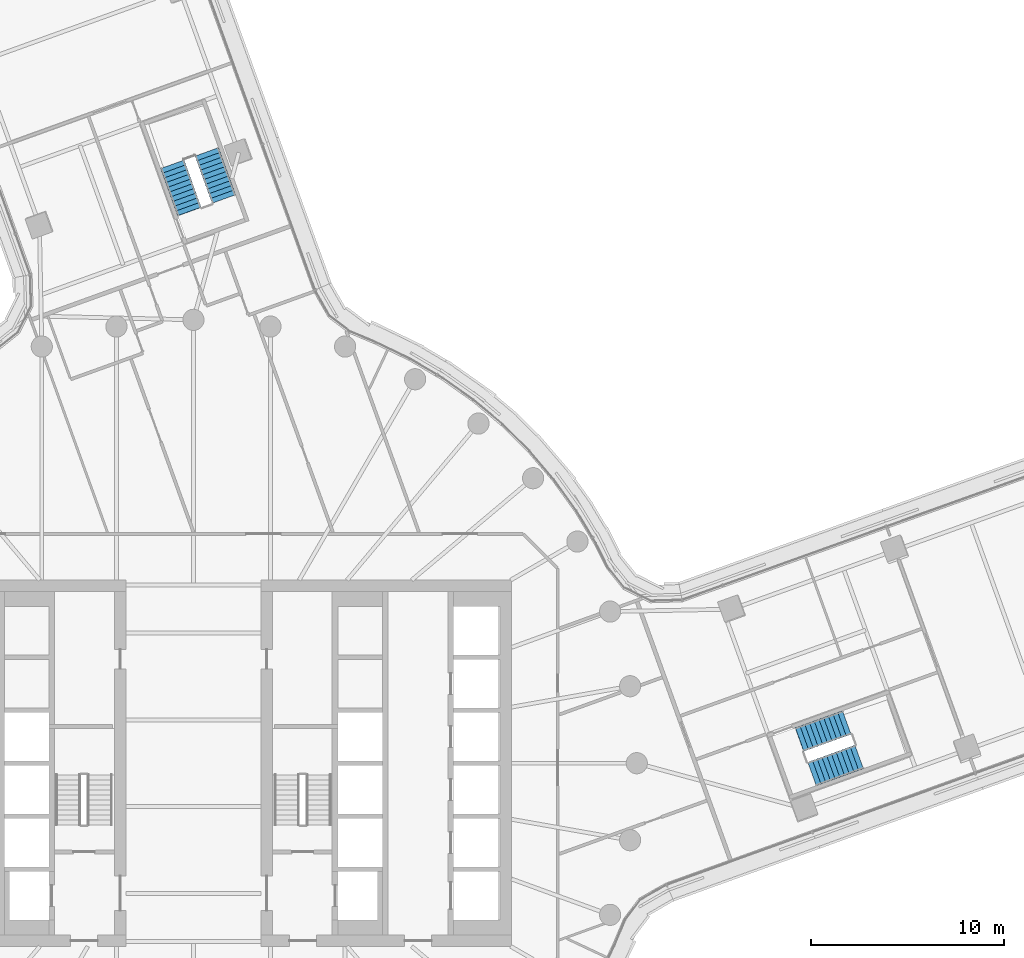
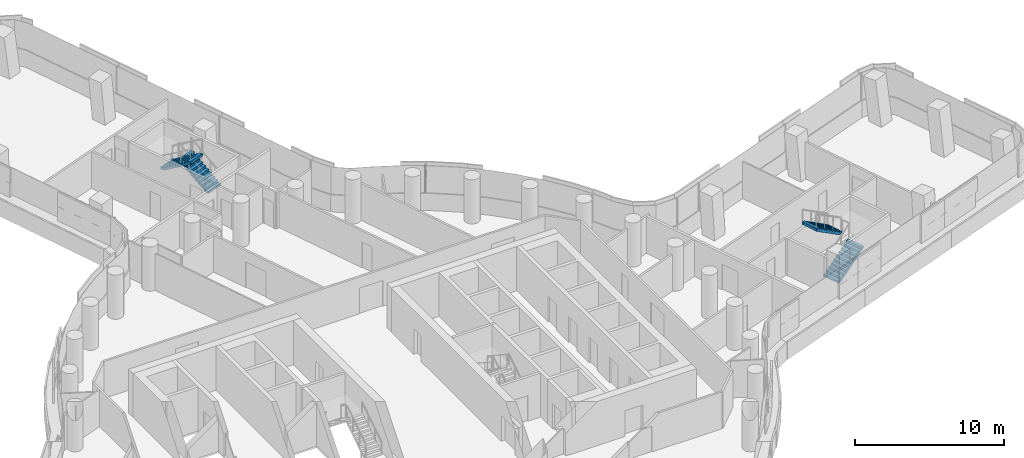
# One storey, part 23 of 30: 4 stair flights, 2 elements without a shape of their own.
"""IFC4 building model written with IfcOpenShell, lengths in metres."""

from ifc_helpers import new_model, si_unit, direction, frame, origin, place, context, subcontext, project, spatial, polyline, outline, extrude, material, type_object, element, aggregate, save


model = new_model("IFC4")

# Units and contexts
model_context = context("Model", 3, precision=1e-05, world=origin(), true_north=direction((0.0, 1.0)))
body_context = subcontext(model_context, "Body", "Model", "MODEL_VIEW")
ifc_project = project(units=[si_unit("LENGTHUNIT", "METRE"), si_unit("AREAUNIT", "SQUARE_METRE"), si_unit("VOLUMEUNIT", "CUBIC_METRE"), si_unit("PLANEANGLEUNIT", "RADIAN"), si_unit("MASSUNIT", "GRAM", prefix="KILO")], contexts=[model_context])

# Site, building, storey
site_placement = place(None, origin())
site = spatial("IfcSite", under=ifc_project, at=site_placement, CompositionType="ELEMENT")
building_placement = place(site_placement, origin())
building = spatial("IfcBuilding", under=site, at=building_placement, Name="Tamarind Cross Interchange Tower", CompositionType="ELEMENT")
storey_placement = place(building_placement, frame((0.0, 0.0, 106.0)))
storey = spatial("IfcBuildingStorey", under=building, at=storey_placement, Name="L25", CompositionType="ELEMENT", Elevation=106.0)

# Stair, stair flights
ifc_material_1 = material(Name="Exit stair")
stair_type = type_object("IfcStairType", Name="Exit stair", PredefinedType="HALF_TURN_STAIR", material=ifc_material_1)
stair_1_placement = place(storey_placement, origin())
stair_1 = element("IfcStair", 1, at=stair_1_placement, inside=storey, type_object=stair_type, Name="L25 exit stair ST3", PredefinedType="HALF_TURN_STAIR")
ifc_material_2 = material(Name="Exit stair flight")
stair_flight_type = type_object("IfcStairFlightType", Name="Exit stair flight", PredefinedType="STRAIGHT", material=ifc_material_2)
stair_flight_1_placement = place(storey_placement, frame((32.088623046875, -0.55712890625, 0.0), z_axis=(0.0, 0.0, 1.0), x_axis=(0.94057769422, 0.339578564011, 0.0)))
stair_flight_1 = element("IfcStairFlight", 2, at=stair_flight_1_placement, type_object=stair_flight_type, Name="ST3 flight 1", NumberOfRisers=11, NumberOfTreads=10, PredefinedType="STRAIGHT", RiserHeight=0.170454545, TreadLength=0.26, context=body_context, shape_type="SweptSolid", body=[
    extrude(outline(polyline([(0.0, 0.0), (0.0, 0.17041015625), (0.260009765625, 0.17041015625), (0.260009765625, 0.3408203125), (0.52001953125, 0.3408203125), (0.52001953125, 0.511474609375), (0.780029296875, 0.511474609375), (0.780029296875, 0.681884765625), (1.0400390625, 0.681884765625), (1.0400390625, 0.852294921875), (1.300048828125, 0.852294921875), (1.300048828125, 1.022705078125), (1.56005859375, 1.022705078125), (1.56005859375, 1.193115234375), (1.820068359375, 1.193115234375), (1.820068359375, 1.363525390625), (2.080078125, 1.363525390625), (2.080078125, 1.5341796875), (2.340087890625, 1.5341796875), (2.340087890625, 1.70458984375), (2.60009765625, 1.70458984375), (2.60009765625, 1.875), (2.60009765625, 1.525390625), (0.2734375, 0.0), (0.0, 0.0)])), frame((0.0, 0.64990234375, 0.0), z_axis=(0.0, -1.0, 0.0), x_axis=(1.0, 0.0, 0.0)), (0.0, 0.0, 1.0), 1.300048828125),
])
stair_flight_2_placement = place(storey_placement, frame((33.888916015625, 2.11279296875, 1.875), z_axis=(0.0, 0.0, 1.0), x_axis=(-0.94057769422, -0.339578564011, 0.0)))
stair_flight_2 = element("IfcStairFlight", 3, at=stair_flight_2_placement, type_object=stair_flight_type, Name="ST3 flight 2", NumberOfRisers=11, NumberOfTreads=10, PredefinedType="STRAIGHT", RiserHeight=0.170454545, TreadLength=0.26, context=body_context, shape_type="SweptSolid", body=[
    extrude(outline(polyline([(0.0, 0.0), (0.0, 0.17041015625), (0.260009765625, 0.17041015625), (0.260009765625, 0.3408203125), (0.52001953125, 0.3408203125), (0.52001953125, 0.511474609375), (0.780029296875, 0.511474609375), (0.780029296875, 0.681884765625), (1.0400390625, 0.681884765625), (1.0400390625, 0.852294921875), (1.300048828125, 0.852294921875), (1.300048828125, 1.022705078125), (1.56005859375, 1.022705078125), (1.56005859375, 1.193115234375), (1.820068359375, 1.193115234375), (1.820068359375, 1.363525390625), (2.080078125, 1.363525390625), (2.080078125, 1.5341796875), (2.340087890625, 1.5341796875), (2.340087890625, 1.70458984375), (2.60009765625, 1.70458984375), (2.60009765625, 1.7548828125), (2.612060546875, 1.7548828125), (2.612060546875, 1.533203125), (0.2734375, 0.0), (0.0, 0.0)])), frame((0.0, 0.64990234375, 0.0), z_axis=(0.0, -1.0, 0.0), x_axis=(1.0, 0.0, 0.0)), (0.0, 0.0, 1.0), 1.300048828125),
])
aggregate(stair_1, [stair_flight_1, stair_flight_2])

stair_2_placement = place(storey_placement, origin())
stair_2 = element("IfcStair", 4, at=stair_2_placement, inside=storey, type_object=stair_type, Name="L25 exit stair ST4", PredefinedType="HALF_TURN_STAIR")
stair_flight_3_placement = place(storey_placement, frame((1.575927734375, 29.26708984375, 0.0), z_axis=(0.0, 0.0, 1.0), x_axis=(-0.339578564011, 0.94057769422, 0.0)))
stair_flight_3 = element("IfcStairFlight", 5, at=stair_flight_3_placement, type_object=stair_flight_type, Name="ST4 flight 1", NumberOfRisers=11, NumberOfTreads=10, PredefinedType="STRAIGHT", RiserHeight=0.170454545, TreadLength=0.26, context=body_context, shape_type="SweptSolid", body=[
    extrude(outline(polyline([(0.0, 0.0), (0.0, 0.17041015625), (0.260009765625, 0.17041015625), (0.260009765625, 0.3408203125), (0.52001953125, 0.3408203125), (0.52001953125, 0.511474609375), (0.780029296875, 0.511474609375), (0.780029296875, 0.681884765625), (1.0400390625, 0.681884765625), (1.0400390625, 0.852294921875), (1.300048828125, 0.852294921875), (1.300048828125, 1.022705078125), (1.56005859375, 1.022705078125), (1.56005859375, 1.193115234375), (1.820068359375, 1.193115234375), (1.820068359375, 1.363525390625), (2.080078125, 1.363525390625), (2.080078125, 1.5341796875), (2.340087890625, 1.5341796875), (2.340087890625, 1.70458984375), (2.60009765625, 1.70458984375), (2.60009765625, 1.875), (2.60009765625, 1.525390625), (0.2734375, 0.0), (0.0, 0.0)])), frame((0.0, 0.64990234375, 0.0), z_axis=(0.0, -1.0, 0.0), x_axis=(1.0, 0.0, 0.0)), (0.0, 0.0, 1.0), 1.300048828125),
])
stair_flight_4_placement = place(storey_placement, frame((-1.093994140625, 31.0673828125, 1.875), z_axis=(0.0, 0.0, 1.0), x_axis=(0.339578564011, -0.94057769422, 0.0)))
stair_flight_4 = element("IfcStairFlight", 6, at=stair_flight_4_placement, type_object=stair_flight_type, Name="ST4 flight 2", NumberOfRisers=11, NumberOfTreads=10, PredefinedType="STRAIGHT", RiserHeight=0.170454545, TreadLength=0.26, context=body_context, shape_type="SweptSolid", body=[
    extrude(outline(polyline([(0.0, 0.0), (0.0, 0.17041015625), (0.260009765625, 0.17041015625), (0.260009765625, 0.3408203125), (0.52001953125, 0.3408203125), (0.52001953125, 0.511474609375), (0.780029296875, 0.511474609375), (0.780029296875, 0.681884765625), (1.0400390625, 0.681884765625), (1.0400390625, 0.852294921875), (1.300048828125, 0.852294921875), (1.300048828125, 1.022705078125), (1.56005859375, 1.022705078125), (1.56005859375, 1.193115234375), (1.820068359375, 1.193115234375), (1.820068359375, 1.363525390625), (2.080078125, 1.363525390625), (2.080078125, 1.5341796875), (2.340087890625, 1.5341796875), (2.340087890625, 1.70458984375), (2.60009765625, 1.70458984375), (2.60009765625, 1.7548828125), (2.612060546875, 1.7548828125), (2.612060546875, 1.533203125), (0.2734375, 0.0), (0.0, 0.0)])), frame((0.0, 0.64990234375, 0.0), z_axis=(0.0, -1.0, 0.0), x_axis=(1.0, 0.0, 0.0)), (0.0, 0.0, 1.0), 1.300048828125),
])
aggregate(stair_2, [stair_flight_3, stair_flight_4])

save(model, "model.ifc")
